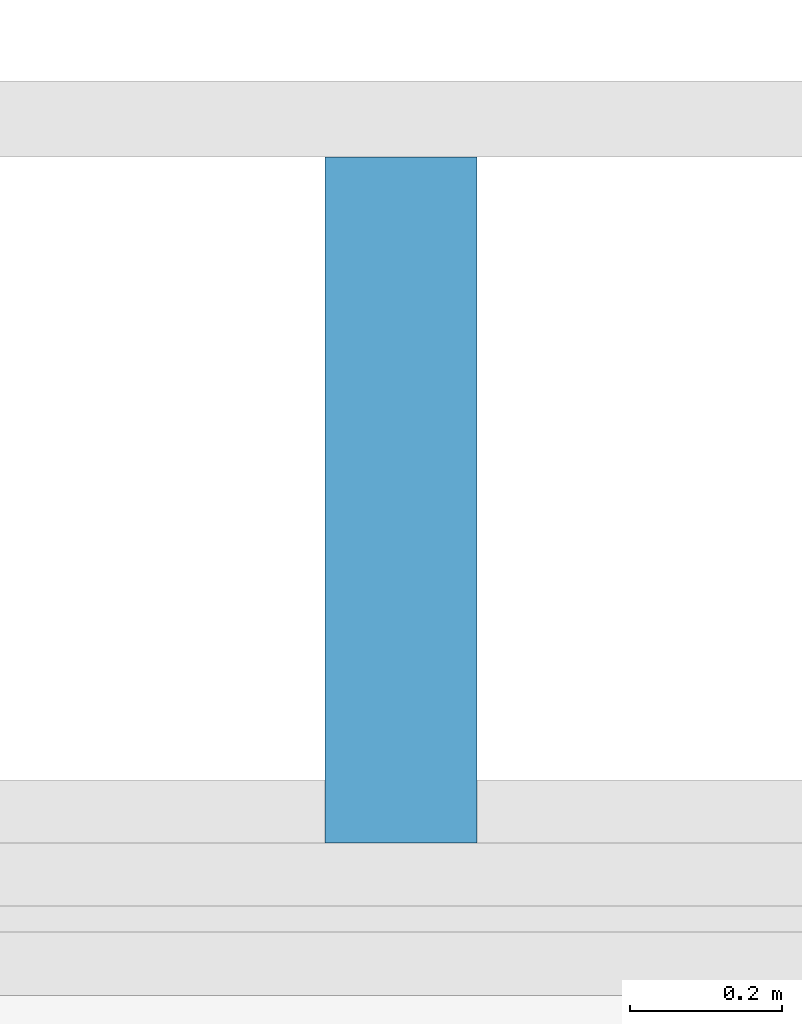
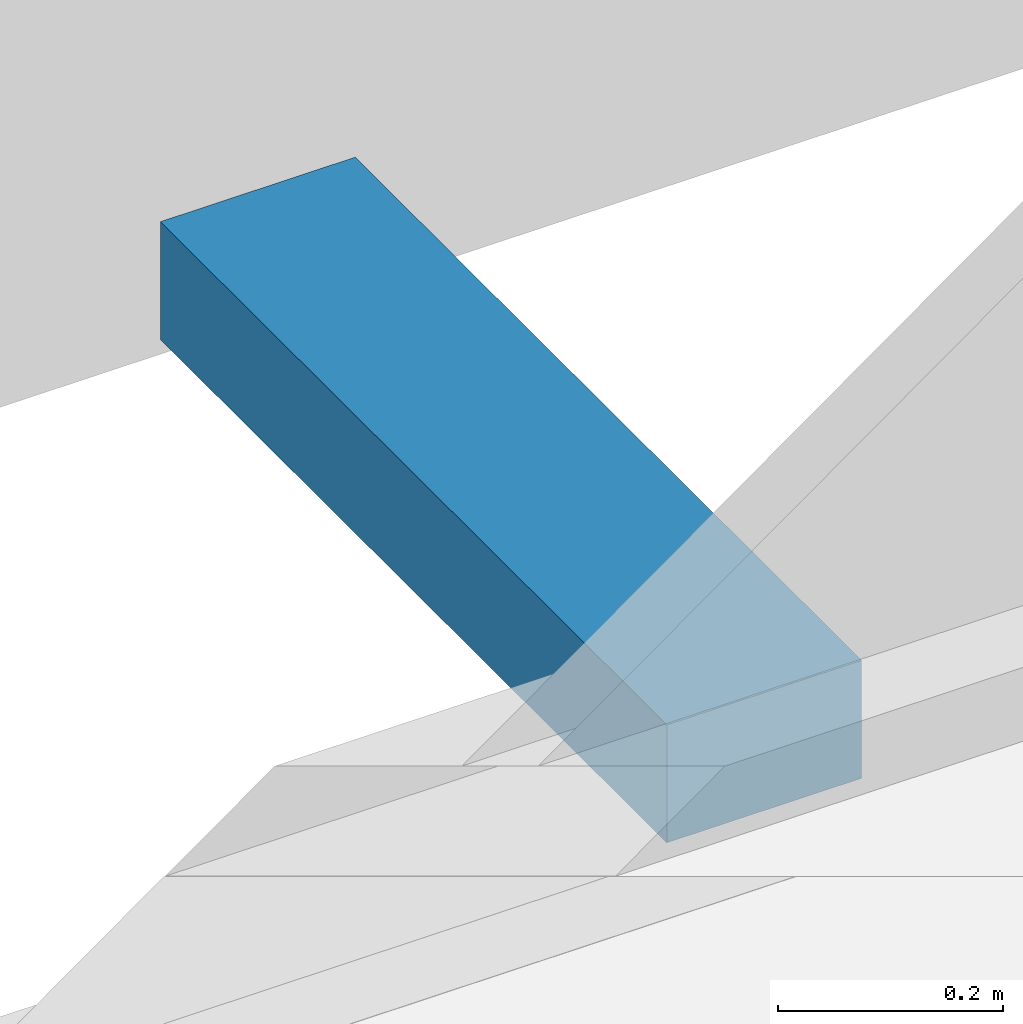
# One storey, part 13 of 14: 1 discrete accessory.
"""IFC4 building model written with IfcOpenShell, lengths in metres."""

import ifcopenshell
import ifcopenshell.guid

model = None  # the IFC model being written
_history = None  # IfcOwnerHistory: only IFC2X3 demands one
_inside = {}  # id of a spatial element -> (the spatial element, [elements in it])
_under = {}  # id of a project, library or spatial element -> (it, [spatial elements below it])
_declared = {}  # id of a project -> (the project, [libraries it declares])
_typed = {}  # id of a type object -> (the type object, [elements of that type])
_made_of = {}  # id of a material, layer set ... -> (it, [elements and type objects made of it])


def new_model(schema):
    """Start an empty IFC model of exactly this schema.

    Asked for "IFC4X3", IfcOpenShell would pick the latest addendum, in which some entities
    have other attributes; the version numbers below select the first issue.
    IFC2X3 requires an IfcOwnerHistory on every rooted entity: one is made here for all.
    """
    global model, _history
    if schema == "IFC4X3":
        model = ifcopenshell.file(schema_version=(4, 3, 0, 0))
    else:
        model = ifcopenshell.file(schema=schema)
    _inside.clear()
    _under.clear()
    _declared.clear()
    _typed.clear()
    _made_of.clear()
    _history = None
    if model.schema == "IFC2X3":
        org = make("IfcOrganization", Name="unknown")
        user = make(
            "IfcPersonAndOrganization",
            ThePerson=make("IfcPerson", FamilyName="unknown"),
            TheOrganization=org,
        )
        app = make(
            "IfcApplication",
            ApplicationDeveloper=org,
            Version="unknown",
            ApplicationFullName="unknown",
            ApplicationIdentifier="unknown",
        )
        _history = make(
            "IfcOwnerHistory",
            OwningUser=user,
            OwningApplication=app,
            ChangeAction="ADDED",
            CreationDate=0,
        )
    return model


def make(cls, **values):
    """One entity of the class cls with the attributes given. An attribute that is None is left unset."""
    return model.create_entity(
        cls, **{name: value for name, value in values.items() if value is not None}
    )


def rooted(cls, **values):
    """An entity with a GlobalId (a new one), such as an element, a storey or a relation."""
    return make(cls, GlobalId=ifcopenshell.guid.new(), OwnerHistory=_history, **values)


def si_unit(unit_type, name, prefix=None):
    """IfcSIUnit, for example si_unit("LENGTHUNIT", "METRE", prefix="MILLI")."""
    return make("IfcSIUnit", UnitType=unit_type, Prefix=prefix, Name=name)


def assignment(units):
    """IfcUnitAssignment: the units of a project."""
    return None if units is None else make("IfcUnitAssignment", Units=units)


def point(xyz):
    """IfcCartesianPoint."""
    return None if xyz is None else make("IfcCartesianPoint", Coordinates=xyz)


def direction(xyz):
    """IfcDirection."""
    return None if xyz is None else make("IfcDirection", DirectionRatios=xyz)


def frame(location, z_axis=None, x_axis=None):
    """IfcAxis2Placement3D, a coordinate frame: its origin and axes. An axis left out is left unset."""
    return make(
        "IfcAxis2Placement3D",
        Location=point(location),
        Axis=direction(z_axis),
        RefDirection=direction(x_axis),
    )


def frame_2d(location, x_axis=None):
    """IfcAxis2Placement2D, a coordinate frame in the plane: its origin and x axis."""
    return make(
        "IfcAxis2Placement2D", Location=point(location), RefDirection=direction(x_axis)
    )


def origin():
    """The frame at (0, 0, 0) with its axes left unset."""
    return frame((0.0, 0.0, 0.0))


def origin_2d():
    """The frame at (0, 0) in the plane with its x axis left unset."""
    return frame_2d((0.0, 0.0))


def place(relative_to, where):
    """IfcLocalPlacement: puts the frame where relative to a parent placement (None: the world)."""
    return make(
        "IfcLocalPlacement", PlacementRelTo=relative_to, RelativePlacement=where
    )


def context(
    kind, dimensions, precision=None, world=None, true_north=None, identifier=None
):
    """IfcGeometricRepresentationContext, for example the 3D "Model" context."""
    return make(
        "IfcGeometricRepresentationContext",
        ContextIdentifier=identifier,
        ContextType=kind,
        CoordinateSpaceDimension=dimensions,
        Precision=precision,
        WorldCoordinateSystem=world,
        TrueNorth=true_north,
    )


def subcontext(parent, identifier, kind, view, scale=None):
    """IfcGeometricRepresentationSubContext, for example "Body" below "Model"."""
    return make(
        "IfcGeometricRepresentationSubContext",
        ContextIdentifier=identifier,
        ContextType=kind,
        ParentContext=parent,
        TargetScale=scale,
        TargetView=view,
    )


def project(units=None, contexts=None):
    """IfcProject with its units and contexts."""
    return rooted(
        "IfcProject",
        Name="project",
        RepresentationContexts=contexts,
        UnitsInContext=assignment(units),
    )


def spatial(cls, under=None, at=None, **own):
    """A site, building, storey or space (cls), placed at a placement, below another one or the project."""
    s = rooted(cls, ObjectPlacement=at, **own)
    if under is not None:
        _under.setdefault(under.id(), (under, []))[1].append(s)
    return s


def profile(cls, at=None, kind="AREA", **sizes):
    """A parametric profile (cls). Its sizes go by their IFC names, for example OverallWidth=200.0."""
    return make(cls, ProfileType=kind, Position=at, **sizes)


def rectangle(**sizes):
    """IfcRectangleProfileDef."""
    return profile("IfcRectangleProfileDef", **sizes)


def extrude(swept, where, along, depth):
    """IfcExtrudedAreaSolid: the profile swept, set in the frame where, extruded along a direction by depth."""
    return make(
        "IfcExtrudedAreaSolid",
        SweptArea=swept,
        Position=where,
        ExtrudedDirection=direction(along),
        Depth=depth,
    )


def shape(context_of_items, identifier, shape_type, items):
    """IfcShapeRepresentation: the items that make up one representation, for example the "Body"."""
    return make(
        "IfcShapeRepresentation",
        ContextOfItems=context_of_items,
        RepresentationIdentifier=identifier,
        RepresentationType=shape_type,
        Items=items,
    )


def material(Name=None, Category=None):
    """IfcMaterial."""
    return make("IfcMaterial", Name=Name, Category=Category)


def made_of(thing, what):
    """Note that an element or type object is made of a material, layer set ...; save() writes the relation."""
    if what is not None:
        _made_of.setdefault(what.id(), (what, []))[1].append(thing)
    return thing


def type_object(cls, material=None, **own):
    """A type object (cls), such as IfcWallType, which elements share."""
    return made_of(rooted(cls, **own), material)


def element(
    cls,
    number,
    at=None,
    inside=None,
    cuts=None,
    type_object=None,
    material=None,
    context=None,
    identifier="Body",
    shape_type=None,
    held_by="IfcProductDefinitionShape",
    body=None,
    shapes=None,
    **own,
):
    """One element of the class cls, such as IfcWall. Its Tag is "e" and its number.

    at: its placement. inside: the storey or other place that contains it. cuts: it is an
    opening in that element (IfcRelVoidsElement). A single representation is given by context,
    identifier, shape_type and body (its items); several are given by shapes. held_by: the class
    of the entity that holds the representations. save() writes the other relations.
    """
    e = rooted(cls, Tag="e%d" % number, ObjectPlacement=at, **own)
    if body is not None:
        shapes = [shape(context, identifier, shape_type, body)]
    if shapes is not None:
        e.Representation = make(held_by, Representations=shapes)
    if inside is not None:
        _inside.setdefault(inside.id(), (inside, []))[1].append(e)
    if cuts is not None:
        rooted(
            "IfcRelVoidsElement", RelatingBuildingElement=cuts, RelatedOpeningElement=e
        )
    if type_object is not None:
        _typed.setdefault(type_object.id(), (type_object, []))[1].append(e)
    return made_of(e, material)


def aggregate(whole, parts):
    """IfcRelAggregates: a whole, such as a stair, and the parts it consists of."""
    return rooted("IfcRelAggregates", RelatingObject=whole, RelatedObjects=parts)


def save(model, path):
    """Write the relations noted so far, then the file.

    IfcRelAggregates (storeys below a building ...), IfcRelContainedInSpatialStructure (elements
    in a storey), IfcRelDefinesByType, IfcRelAssociatesMaterial and IfcRelDeclares: one each for
    every whole, place, type object, material and project.
    """
    for whole, parts in _under.values():
        aggregate(whole, parts)
    for where, things in _inside.values():
        rooted(
            "IfcRelContainedInSpatialStructure",
            RelatedElements=things,
            RelatingStructure=where,
        )
    for kind, things in _typed.values():
        rooted("IfcRelDefinesByType", RelatedObjects=things, RelatingType=kind)
    for what, things in _made_of.values():
        rooted("IfcRelAssociatesMaterial", RelatedObjects=things, RelatingMaterial=what)
    for by, libraries in _declared.values():
        rooted("IfcRelDeclares", RelatingContext=by, RelatedDefinitions=libraries)
    model.write(path)


model = new_model("IFC4")

# Units and contexts
model_context = context("Model", 3, precision=1e-05, world=origin(), true_north=direction((0.0, 1.0)))
body_context = subcontext(model_context, "Body", "Model", "MODEL_VIEW")
ifc_project = project(units=[si_unit("LENGTHUNIT", "METRE"), si_unit("AREAUNIT", "SQUARE_METRE"), si_unit("VOLUMEUNIT", "CUBIC_METRE"), si_unit("PLANEANGLEUNIT", "RADIAN"), si_unit("MASSUNIT", "GRAM", prefix="KILO")], contexts=[model_context])

# Site, building, storey
site_placement = place(None, origin())
site = spatial("IfcSite", under=ifc_project, at=site_placement, CompositionType="ELEMENT")
building_placement = place(site_placement, origin())
building = spatial("IfcBuilding", under=site, at=building_placement, Name="Baori Bourse Tower", CompositionType="ELEMENT")
storey_placement = place(building_placement, frame((0.0, 0.0, 43.0)))
storey = spatial("IfcBuildingStorey", under=building, at=storey_placement, Name="L08", CompositionType="ELEMENT", Elevation=43.0)

# Discrete accessory
ifc_material = material(Name="Pale anodised aluminium", Category="aluminium")
discrete_accessory_type = type_object("IfcDiscreteAccessoryType", Name="OS2 Outer skin bracket", PredefinedType="BRACKET", material=ifc_material)
discrete_accessory_placement = place(storey_placement, frame((35.012451171875, 48.449951171875, -0.14404296875), z_axis=(0.0, 0.0, 1.0), x_axis=(-1.0, 0.0, 0.0)))
element("IfcDiscreteAccessory", 1, at=discrete_accessory_placement, inside=storey, type_object=discrete_accessory_type, Name="Outer skin bracket L08 4", PredefinedType="BRACKET", context=body_context, shape_type="SweptSolid", body=[
    extrude(rectangle(XDim=0.199951171875, YDim=0.89990234375, at=origin_2d()), origin(), (0.0, 0.0, 1.0), 0.1279296875),
])

save(model, "model.ifc")
